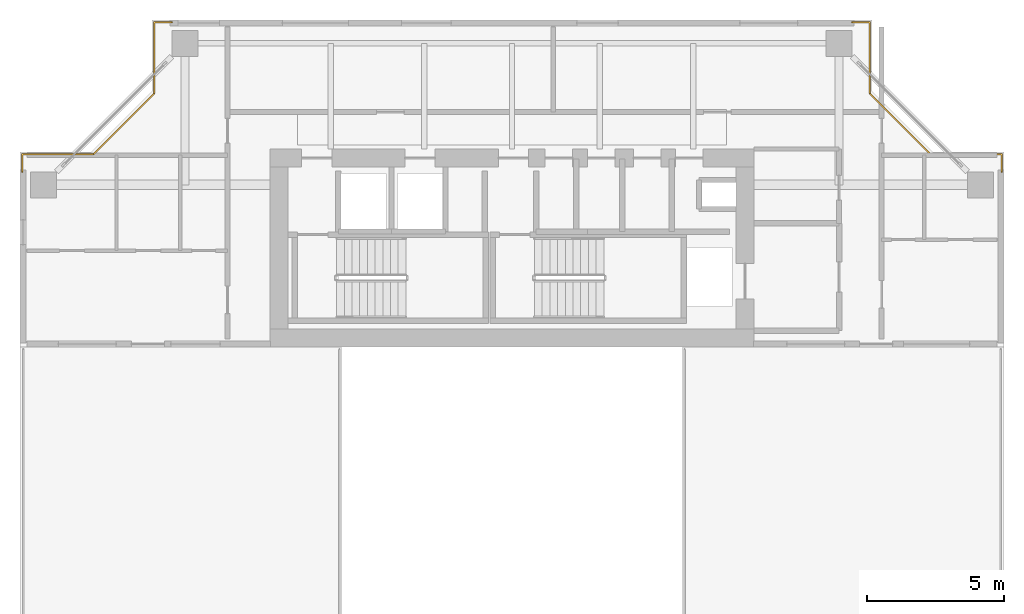
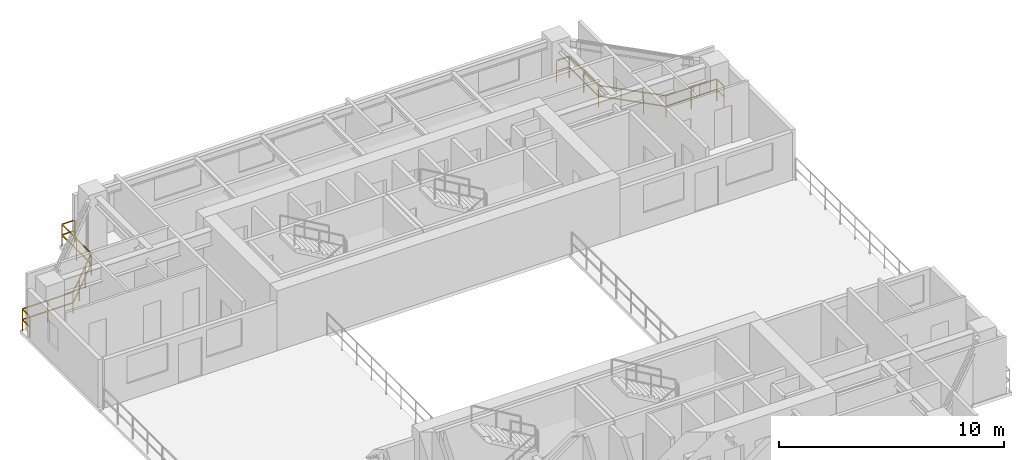
# One storey, part 14 of 14: 2 railings.
"""IFC4 building model written with IfcOpenShell, lengths in metres."""

from ifc_helpers import new_model, si_unit, direction, frame, origin, origin_2d, place, context, subcontext, project, spatial, rectangle, extrude, material, type_object, element, save


model = new_model("IFC4")

# Units and contexts
model_context = context("Model", 3, precision=1e-05, world=origin(), true_north=direction((0.0, 1.0)))
body_context = subcontext(model_context, "Body", "Model", "MODEL_VIEW")
ifc_project = project(units=[si_unit("LENGTHUNIT", "METRE"), si_unit("AREAUNIT", "SQUARE_METRE"), si_unit("VOLUMEUNIT", "CUBIC_METRE"), si_unit("PLANEANGLEUNIT", "RADIAN"), si_unit("MASSUNIT", "GRAM", prefix="KILO"), si_unit("THERMODYNAMICTEMPERATUREUNIT", "KELVIN"), si_unit("POWERUNIT", "WATT")], contexts=[model_context])

# Site, building, storey
site_placement = place(None, origin())
site = spatial("IfcSite", under=ifc_project, at=site_placement, CompositionType="ELEMENT")
building_placement = place(site_placement, origin())
building = spatial("IfcBuilding", under=site, at=building_placement, Name="Qiaomeng Ring Towers", CompositionType="ELEMENT")
storey_placement = place(building_placement, frame((0.0, 0.0, 153.5)))
storey = spatial("IfcBuildingStorey", under=building, at=storey_placement, Name="L44", CompositionType="ELEMENT", Elevation=153.5)

# Railings
ifc_material = material(Name="Low-E pale-green laminated safety glass", Category="glass")
railing_type = type_object("IfcRailingType", Name="ARC-RL-BAL1", PredefinedType="BALUSTRADE", material=ifc_material)
railing_1_placement = place(storey_placement, frame((36.820068359375, 35.3701171875, 0.0)))
element("IfcRailing", 1, at=railing_1_placement, inside=storey, type_object=railing_type, Name="L44 Balustrade ARC-BAL-NOTCH1-L44-NE", PredefinedType="BALUSTRADE", context=body_context, shape_type="SweptSolid", body=[
    extrude(rectangle(XDim=0.048095703125, YDim=0.048095703125, at=origin_2d()), frame((0.0, 0.0, 1.17578125), z_axis=(0.0, 1.0, 0.0), x_axis=(-1.0, 0.0, 0.0)), (0.0, 0.0, 1.0), 0.64990234375),
    extrude(rectangle(XDim=0.048095703125, YDim=0.048095703125, at=origin_2d()), frame((0.0, 0.0, 0.60009765625), z_axis=(0.0, 1.0, 0.0), x_axis=(-1.0, 0.0, 0.0)), (0.0, 0.0, 1.0), 0.64990234375),
    extrude(rectangle(XDim=0.048095703125, YDim=0.048095703125, at=origin_2d()), frame((0.0, 0.64990234375, 1.17578125), z_axis=(-1.0, 0.0, 0.0), x_axis=(0.0, -1.0, 0.0)), (0.0, 0.0, 1.0), 2.60009765625),
    extrude(rectangle(XDim=0.048095703125, YDim=0.048095703125, at=origin_2d()), frame((0.0, 0.64990234375, 0.60009765625), z_axis=(-1.0, 0.0, 0.0), x_axis=(0.0, -1.0, 0.0)), (0.0, 0.0, 1.0), 2.60009765625),
    extrude(rectangle(XDim=0.048095703125, YDim=0.048095703125, at=origin_2d()), frame((-2.60009765625, 0.64990234375, 1.17578125), z_axis=(-0.707106781187, 0.707106781187, 0.0), x_axis=(-0.707106781187, -0.707106781187, 0.0)), (0.0, 0.0, 1.0), 3.111083984375),
    extrude(rectangle(XDim=0.048095703125, YDim=0.048095703125, at=origin_2d()), frame((-2.60009765625, 0.64990234375, 0.60009765625), z_axis=(-0.707106781187, 0.707106781187, 0.0), x_axis=(-0.707106781187, -0.707106781187, 0.0)), (0.0, 0.0, 1.0), 3.111083984375),
    extrude(rectangle(XDim=0.048095703125, YDim=0.048095703125, at=origin_2d()), frame((-4.800048828125, 2.849853515625, 1.17578125), z_axis=(0.0, 1.0, 0.0), x_axis=(-1.0, 0.0, 0.0)), (0.0, 0.0, 1.0), 2.60009765625),
    extrude(rectangle(XDim=0.048095703125, YDim=0.048095703125, at=origin_2d()), frame((-4.800048828125, 2.849853515625, 0.60009765625), z_axis=(0.0, 1.0, 0.0), x_axis=(-1.0, 0.0, 0.0)), (0.0, 0.0, 1.0), 2.60009765625),
    extrude(rectangle(XDim=0.048095703125, YDim=0.048095703125, at=origin_2d()), frame((-4.800048828125, 5.449951171875, 1.17578125), z_axis=(-1.0, 0.0, 0.0), x_axis=(0.0, -1.0, 0.0)), (0.0, 0.0, 1.0), 0.64990234375),
    extrude(rectangle(XDim=0.048095703125, YDim=0.048095703125, at=origin_2d()), frame((-4.800048828125, 5.449951171875, 0.60009765625), z_axis=(-1.0, 0.0, 0.0), x_axis=(0.0, -1.0, 0.0)), (0.0, 0.0, 1.0), 0.64990234375),
    extrude(rectangle(XDim=0.0419921875, YDim=0.0419921875, at=origin_2d()), origin(), (0.0, 0.0, 1.0), 1.15185546875),
    extrude(rectangle(XDim=0.0419921875, YDim=0.0419921875, at=origin_2d()), frame((0.0, 0.64990234375, 0.0)), (0.0, 0.0, 1.0), 1.15185546875),
    extrude(rectangle(XDim=0.0419921875, YDim=0.0419921875, at=origin_2d()), frame((-1.300048828125, 0.64990234375, 0.0)), (0.0, 0.0, 1.0), 1.15185546875),
    extrude(rectangle(XDim=0.0419921875, YDim=0.0419921875, at=origin_2d()), frame((-2.60009765625, 0.64990234375, 0.0)), (0.0, 0.0, 1.0), 1.15185546875),
    extrude(rectangle(XDim=0.0419921875, YDim=0.0419921875, at=origin_2d()), frame((-3.33349609375, 1.38330078125, 0.0)), (0.0, 0.0, 1.0), 1.15185546875),
    extrude(rectangle(XDim=0.0419921875, YDim=0.0419921875, at=origin_2d()), frame((-4.066650390625, 2.116455078125, 0.0)), (0.0, 0.0, 1.0), 1.15185546875),
    extrude(rectangle(XDim=0.0419921875, YDim=0.0419921875, at=origin_2d()), frame((-4.800048828125, 2.849853515625, 0.0)), (0.0, 0.0, 1.0), 1.15185546875),
    extrude(rectangle(XDim=0.0419921875, YDim=0.0419921875, at=origin_2d()), frame((-4.800048828125, 4.14990234375, 0.0)), (0.0, 0.0, 1.0), 1.15185546875),
    extrude(rectangle(XDim=0.0419921875, YDim=0.0419921875, at=origin_2d()), frame((-4.800048828125, 5.449951171875, 0.0)), (0.0, 0.0, 1.0), 1.15185546875),
    extrude(rectangle(XDim=0.0419921875, YDim=0.0419921875, at=origin_2d()), frame((-5.449951171875, 5.449951171875, 0.0)), (0.0, 0.0, 1.0), 1.15185546875),
])
railing_2_placement = place(storey_placement, frame((6.6298828125, 40.820068359375, 0.0)))
element("IfcRailing", 2, at=railing_2_placement, inside=storey, type_object=railing_type, Name="L44 Balustrade ARC-BAL-NOTCH1-L44-NW", PredefinedType="BALUSTRADE", context=body_context, shape_type="SweptSolid", body=[
    extrude(rectangle(XDim=0.048095703125, YDim=0.048095703125, at=origin_2d()), frame((0.0, 0.0, 1.17578125), z_axis=(-1.0, 0.0, 0.0), x_axis=(0.0, -1.0, 0.0)), (0.0, 0.0, 1.0), 0.64990234375),
    extrude(rectangle(XDim=0.048095703125, YDim=0.048095703125, at=origin_2d()), frame((0.0, 0.0, 0.60009765625), z_axis=(-1.0, 0.0, 0.0), x_axis=(0.0, -1.0, 0.0)), (0.0, 0.0, 1.0), 0.64990234375),
    extrude(rectangle(XDim=0.048095703125, YDim=0.048095703125, at=origin_2d()), frame((-0.64990234375, 0.0, 1.17578125), z_axis=(0.0, -1.0, 0.0), x_axis=(1.0, 0.0, 0.0)), (0.0, 0.0, 1.0), 2.60009765625),
    extrude(rectangle(XDim=0.048095703125, YDim=0.048095703125, at=origin_2d()), frame((-0.64990234375, 0.0, 0.60009765625), z_axis=(0.0, -1.0, 0.0), x_axis=(1.0, 0.0, 0.0)), (0.0, 0.0, 1.0), 2.60009765625),
    extrude(rectangle(XDim=0.048095703125, YDim=0.048095703125, at=origin_2d()), frame((-0.64990234375, -2.60009765625, 1.17578125), z_axis=(-0.707106781187, -0.707106781187, 0.0), x_axis=(0.707106781187, -0.707106781187, 0.0)), (0.0, 0.0, 1.0), 3.111083984375),
    extrude(rectangle(XDim=0.048095703125, YDim=0.048095703125, at=origin_2d()), frame((-0.64990234375, -2.60009765625, 0.60009765625), z_axis=(-0.707106781187, -0.707106781187, 0.0), x_axis=(0.707106781187, -0.707106781187, 0.0)), (0.0, 0.0, 1.0), 3.111083984375),
    extrude(rectangle(XDim=0.048095703125, YDim=0.048095703125, at=origin_2d()), frame((-2.849853515625, -4.800048828125, 1.17578125), z_axis=(-1.0, 0.0, 0.0), x_axis=(0.0, -1.0, 0.0)), (0.0, 0.0, 1.0), 2.60009765625),
    extrude(rectangle(XDim=0.048095703125, YDim=0.048095703125, at=origin_2d()), frame((-2.849853515625, -4.800048828125, 0.60009765625), z_axis=(-1.0, 0.0, 0.0), x_axis=(0.0, -1.0, 0.0)), (0.0, 0.0, 1.0), 2.60009765625),
    extrude(rectangle(XDim=0.048095703125, YDim=0.048095703125, at=origin_2d()), frame((-5.449951171875, -4.800048828125, 1.17578125), z_axis=(0.0, -1.0, 0.0), x_axis=(1.0, 0.0, 0.0)), (0.0, 0.0, 1.0), 0.64990234375),
    extrude(rectangle(XDim=0.048095703125, YDim=0.048095703125, at=origin_2d()), frame((-5.449951171875, -4.800048828125, 0.60009765625), z_axis=(0.0, -1.0, 0.0), x_axis=(1.0, 0.0, 0.0)), (0.0, 0.0, 1.0), 0.64990234375),
    extrude(rectangle(XDim=0.0419921875, YDim=0.0419921875, at=origin_2d()), origin(), (0.0, 0.0, 1.0), 1.15185546875),
    extrude(rectangle(XDim=0.0419921875, YDim=0.0419921875, at=origin_2d()), frame((-0.64990234375, 0.0, 0.0)), (0.0, 0.0, 1.0), 1.15185546875),
    extrude(rectangle(XDim=0.0419921875, YDim=0.0419921875, at=origin_2d()), frame((-0.64990234375, -1.300048828125, 0.0)), (0.0, 0.0, 1.0), 1.15185546875),
    extrude(rectangle(XDim=0.0419921875, YDim=0.0419921875, at=origin_2d()), frame((-0.64990234375, -2.60009765625, 0.0)), (0.0, 0.0, 1.0), 1.15185546875),
    extrude(rectangle(XDim=0.0419921875, YDim=0.0419921875, at=origin_2d()), frame((-1.38330078125, -3.33349609375, 0.0)), (0.0, 0.0, 1.0), 1.15185546875),
    extrude(rectangle(XDim=0.0419921875, YDim=0.0419921875, at=origin_2d()), frame((-2.116455078125, -4.066650390625, 0.0)), (0.0, 0.0, 1.0), 1.15185546875),
    extrude(rectangle(XDim=0.0419921875, YDim=0.0419921875, at=origin_2d()), frame((-2.849853515625, -4.800048828125, 0.0)), (0.0, 0.0, 1.0), 1.15185546875),
    extrude(rectangle(XDim=0.0419921875, YDim=0.0419921875, at=origin_2d()), frame((-4.14990234375, -4.800048828125, 0.0)), (0.0, 0.0, 1.0), 1.15185546875),
    extrude(rectangle(XDim=0.0419921875, YDim=0.0419921875, at=origin_2d()), frame((-5.449951171875, -4.800048828125, 0.0)), (0.0, 0.0, 1.0), 1.15185546875),
    extrude(rectangle(XDim=0.0419921875, YDim=0.0419921875, at=origin_2d()), frame((-5.449951171875, -5.449951171875, 0.0)), (0.0, 0.0, 1.0), 1.15185546875),
])

save(model, "model.ifc")
